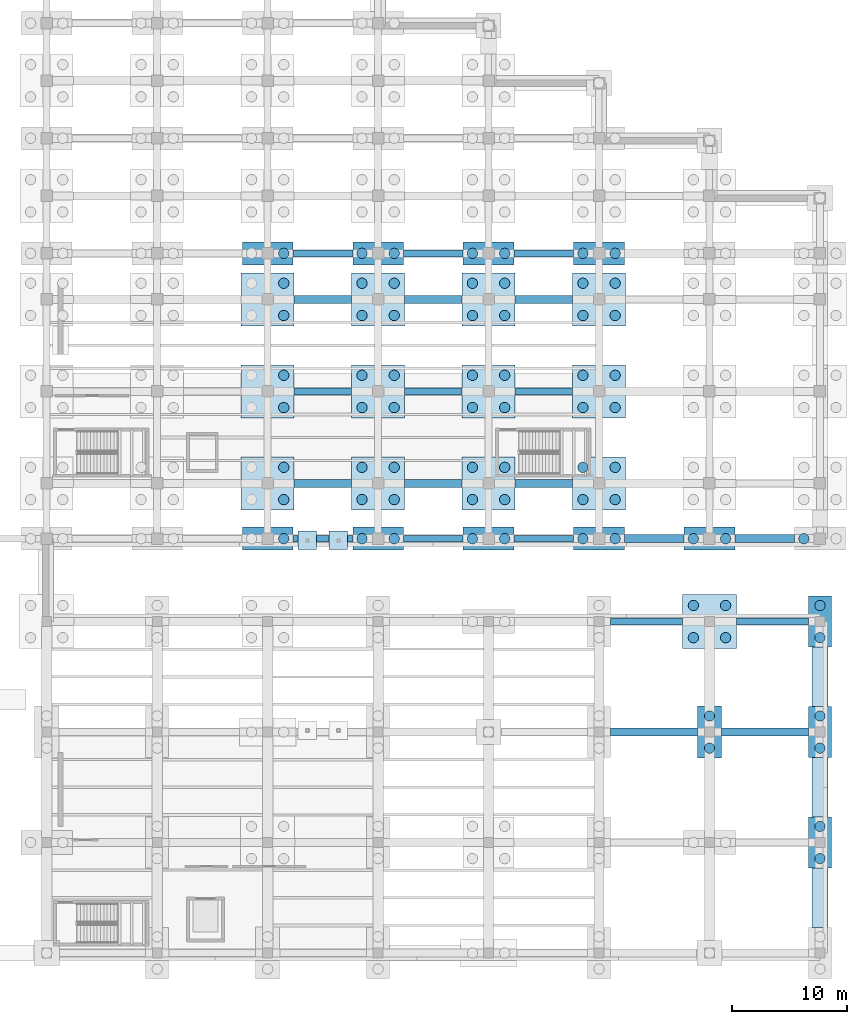
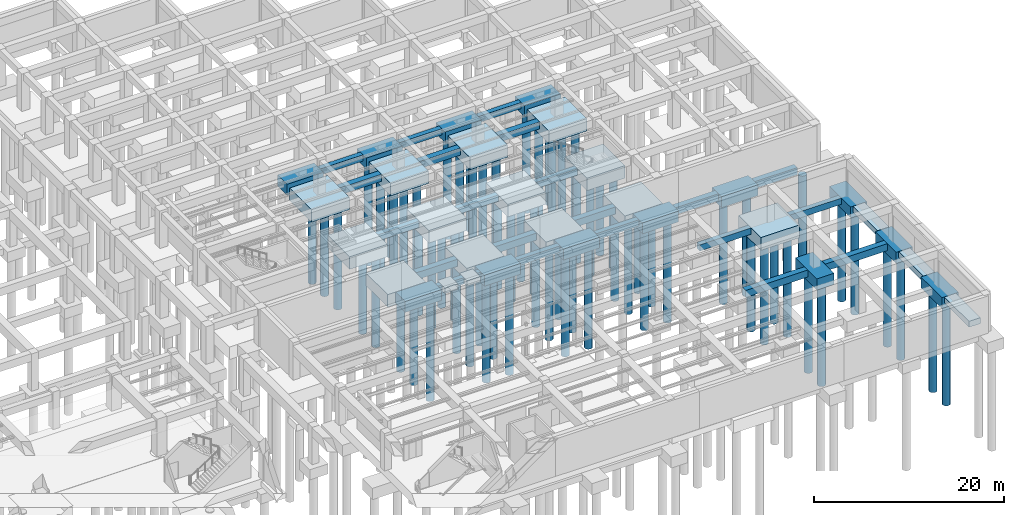
# One storey, part 9 of 56: 71 piles, 54 footings.
"""IFC4 building model written with IfcOpenShell, lengths in metres."""

from ifc_helpers import new_model, si_unit, direction, frame, origin, origin_2d, place, context, subcontext, project, spatial, rectangle, circle, extrude, material, material_profile, profile_set, type_object, element, save


model = new_model("IFC4")

# Units and contexts
model_context = context("Model", 3, precision=1e-05, world=origin(), true_north=direction((0.0, 1.0)))
body_context = subcontext(model_context, "Body", "Model", "MODEL_VIEW")
ifc_project = project(units=[si_unit("LENGTHUNIT", "METRE"), si_unit("AREAUNIT", "SQUARE_METRE"), si_unit("VOLUMEUNIT", "CUBIC_METRE"), si_unit("PLANEANGLEUNIT", "RADIAN"), si_unit("MASSUNIT", "GRAM", prefix="KILO")], contexts=[model_context])

# Site, building, storey
site_placement = place(None, origin())
site = spatial("IfcSite", under=ifc_project, at=site_placement, CompositionType="ELEMENT")
building_placement = place(site_placement, origin())
building = spatial("IfcBuilding", under=site, at=building_placement, Name="Mavantir Sound Aquarium", CompositionType="ELEMENT")
storey_placement = place(building_placement, frame((0.0, 0.0, -9.60009765625)))
storey = spatial("IfcBuildingStorey", under=building, at=storey_placement, Name="B2", CompositionType="ELEMENT", Elevation=-9.60009765625)

# Footings
ifc_material = material(Name="Concrete C40/50", Category="concrete")
ifc_material_profile_1 = material_profile(ifc_material, rectangle(XDim=0.60009765625, YDim=0.800048828125, at=origin_2d()), Name="RC 600X800")
ifc_profile_set_1 = profile_set([ifc_material_profile_1], Name="Concrete C40/50")
footing_type_1 = type_object("IfcFootingType", Name="FB-01", PredefinedType="FOOTING_BEAM", material=ifc_profile_set_1)
footing_1_placement = place(storey_placement, frame((129.407958984375, 36.0, -0.39990234375), z_axis=(1.0, 0.0, 0.0), x_axis=(0.0, 1.0, 0.0)))
element("IfcFooting", 1, at=footing_1_placement, inside=storey, type_object=footing_type_1, Name="Foundation tie beam FB-01 115.1", PredefinedType="FOOTING_BEAM", context=body_context, shape_type="SweptSolid", body=[
    extrude(rectangle(XDim=0.60009765625, YDim=0.800048828125, at=origin_2d()), origin(), (0.0, 0.0, 1.0), 0.43408203125),
])
footing_2_placement = place(storey_placement, frame((131.4580078125, 36.0, -0.39990234375), z_axis=(1.0, 0.0, 0.0), x_axis=(0.0, 1.0, 0.0)))
element("IfcFooting", 2, at=footing_2_placement, inside=storey, type_object=footing_type_1, Name="Foundation tie beam FB-01 115.2", PredefinedType="FOOTING_BEAM", context=body_context, shape_type="SweptSolid", body=[
    extrude(rectangle(XDim=0.60009765625, YDim=0.800048828125, at=origin_2d()), origin(), (0.0, 0.0, 1.0), 1.083984375),
])
footing_3_placement = place(storey_placement, frame((134.157958984375, 36.0, -0.39990234375), z_axis=(1.0, 0.0, 0.0), x_axis=(0.0, 1.0, 0.0)))
element("IfcFooting", 3, at=footing_3_placement, inside=storey, type_object=footing_type_1, Name="Foundation tie beam FB-01 115.3", PredefinedType="FOOTING_BEAM", context=body_context, shape_type="SweptSolid", body=[
    extrude(rectangle(XDim=0.60009765625, YDim=0.800048828125, at=origin_2d()), origin(), (0.0, 0.0, 1.0), 0.442138671875),
])
footing_4_placement = place(storey_placement, frame((129.508056640625, 48.800048828125, -1.599853515625), z_axis=(1.0, 0.0, 0.0), x_axis=(0.0, 1.0, 0.0)))
element("IfcFooting", 4, at=footing_4_placement, inside=storey, type_object=footing_type_1, Name="Foundation tie beam FB-01 117", PredefinedType="FOOTING_BEAM", context=body_context, shape_type="SweptSolid", body=[
    extrude(rectangle(XDim=0.60009765625, YDim=0.800048828125, at=origin_2d()), origin(), (0.0, 0.0, 1.0), 4.98388671875),
])
footing_5_placement = place(storey_placement, frame((129.407958984375, 60.800048828125, -0.39990234375), z_axis=(1.0, 0.0, 0.0), x_axis=(0.0, 1.0, 0.0)))
element("IfcFooting", 5, at=footing_5_placement, inside=storey, type_object=footing_type_1, Name="Foundation tie beam FB-01 119", PredefinedType="FOOTING_BEAM", context=body_context, shape_type="SweptSolid", body=[
    extrude(rectangle(XDim=0.60009765625, YDim=0.800048828125, at=origin_2d()), origin(), (0.0, 0.0, 1.0), 5.192138671875),
])
footing_6_placement = place(storey_placement, frame((139.008056640625, 36.0, -0.39990234375), z_axis=(1.0, 0.0, 0.0), x_axis=(0.0, 1.0, 0.0)))
element("IfcFooting", 6, at=footing_6_placement, inside=storey, type_object=footing_type_1, Name="Foundation tie beam FB-01 125", PredefinedType="FOOTING_BEAM", context=body_context, shape_type="SweptSolid", body=[
    extrude(rectangle(XDim=0.60009765625, YDim=0.800048828125, at=origin_2d()), origin(), (0.0, 0.0, 1.0), 5.19189453125),
])
footing_7_placement = place(storey_placement, frame((139.10791015625, 48.800048828125, -1.599853515625), z_axis=(1.0, 0.0, 0.0), x_axis=(0.0, 1.0, 0.0)))
element("IfcFooting", 7, at=footing_7_placement, inside=storey, type_object=footing_type_1, Name="Foundation tie beam FB-01 127", PredefinedType="FOOTING_BEAM", context=body_context, shape_type="SweptSolid", body=[
    extrude(rectangle(XDim=0.60009765625, YDim=0.800048828125, at=origin_2d()), origin(), (0.0, 0.0, 1.0), 4.984130859375),
])
footing_8_placement = place(storey_placement, frame((139.008056640625, 60.800048828125, -0.39990234375), z_axis=(1.0, 0.0, 0.0), x_axis=(0.0, 1.0, 0.0)))
element("IfcFooting", 8, at=footing_8_placement, inside=storey, type_object=footing_type_1, Name="Foundation tie beam FB-01 129", PredefinedType="FOOTING_BEAM", context=body_context, shape_type="SweptSolid", body=[
    extrude(rectangle(XDim=0.60009765625, YDim=0.800048828125, at=origin_2d()), origin(), (0.0, 0.0, 1.0), 5.19189453125),
])
footing_9_placement = place(storey_placement, frame((148.60791015625, 36.0, -0.39990234375), z_axis=(1.0, 0.0, 0.0), x_axis=(0.0, 1.0, 0.0)))
element("IfcFooting", 9, at=footing_9_placement, inside=storey, type_object=footing_type_1, Name="Foundation tie beam FB-01 137", PredefinedType="FOOTING_BEAM", context=body_context, shape_type="SweptSolid", body=[
    extrude(rectangle(XDim=0.60009765625, YDim=0.800048828125, at=origin_2d()), origin(), (0.0, 0.0, 1.0), 5.18408203125),
])
footing_10_placement = place(storey_placement, frame((148.7080078125, 48.800048828125, -1.599853515625), z_axis=(1.0, 0.0, 0.0), x_axis=(0.0, 1.0, 0.0)))
element("IfcFooting", 10, at=footing_10_placement, inside=storey, type_object=footing_type_1, Name="Foundation tie beam FB-01 139", PredefinedType="FOOTING_BEAM", context=body_context, shape_type="SweptSolid", body=[
    extrude(rectangle(XDim=0.60009765625, YDim=0.800048828125, at=origin_2d()), origin(), (0.0, 0.0, 1.0), 4.98388671875),
])
footing_11_placement = place(storey_placement, frame((148.60791015625, 60.800048828125, -0.39990234375), z_axis=(1.0, 0.0, 0.0), x_axis=(0.0, 1.0, 0.0)))
element("IfcFooting", 11, at=footing_11_placement, inside=storey, type_object=footing_type_1, Name="Foundation tie beam FB-01 141", PredefinedType="FOOTING_BEAM", context=body_context, shape_type="SweptSolid", body=[
    extrude(rectangle(XDim=0.60009765625, YDim=0.800048828125, at=origin_2d()), origin(), (0.0, 0.0, 1.0), 5.18408203125),
])
for number, where, z_axis, x_axis, name in (
    (12, (157.008056640625, 28.800048828125, -0.39990234375), (1.0, 0.0, 0.0), (0.0, 1.0, 0.0), "Foundation tie beam FB-01 147"),
    (13, (167.9580078125, 28.800048828125, -0.39990234375), (1.0, 0.0, 0.0), (0.0, 1.0, 0.0), "Foundation tie beam FB-01 155"),
):
    element("IfcFooting", number, at=place(storey_placement, frame(where, z_axis=z_axis, x_axis=x_axis)), inside=storey, type_object=footing_type_1, Name=name, PredefinedType="FOOTING_BEAM", context=body_context, shape_type="SweptSolid", body=[
        extrude(rectangle(XDim=0.60009765625, YDim=0.800048828125, at=origin_2d()), origin(), (0.0, 0.0, 1.0), 6.23388671875),
    ])
ifc_material_profile_2 = material_profile(ifc_material, rectangle(XDim=0.699951171875, YDim=0.89990234375, at=origin_2d()), Name="RC 700X900")
ifc_profile_set_2 = profile_set([ifc_material_profile_2], Name="Concrete C40/50")
footing_type_2 = type_object("IfcFootingType", Name="FB-02", PredefinedType="FOOTING_BEAM", material=ifc_profile_set_2)
for number, where, z_axis, x_axis, name in (
    (14, (129.508056640625, 40.800048828125, -1.64990234375), (1.0, 0.0, 0.0), (0.0, 1.0, 0.0), "Foundation tie beam FB-02 116"),
    (15, (129.508056640625, 56.800048828125, -0.449951171875), (1.0, 0.0, 0.0), (0.0, 1.0, 0.0), "Foundation tie beam FB-02 118"),
):
    element("IfcFooting", number, at=place(storey_placement, frame(where, z_axis=z_axis, x_axis=x_axis)), inside=storey, type_object=footing_type_2, Name=name, PredefinedType="FOOTING_BEAM", context=body_context, shape_type="SweptSolid", body=[
        extrude(rectangle(XDim=0.699951171875, YDim=0.89990234375, at=origin_2d()), origin(), (0.0, 0.0, 1.0), 4.98388671875),
    ])
for number, where, z_axis, x_axis, name in (
    (16, (139.10791015625, 40.800048828125, -1.64990234375), (1.0, 0.0, 0.0), (0.0, 1.0, 0.0), "Foundation tie beam FB-02 126"),
    (17, (139.10791015625, 56.800048828125, -0.449951171875), (1.0, 0.0, 0.0), (0.0, 1.0, 0.0), "Foundation tie beam FB-02 128"),
):
    element("IfcFooting", number, at=place(storey_placement, frame(where, z_axis=z_axis, x_axis=x_axis)), inside=storey, type_object=footing_type_2, Name=name, PredefinedType="FOOTING_BEAM", context=body_context, shape_type="SweptSolid", body=[
        extrude(rectangle(XDim=0.699951171875, YDim=0.89990234375, at=origin_2d()), origin(), (0.0, 0.0, 1.0), 4.984130859375),
    ])
for number, where, z_axis, x_axis, name in (
    (18, (148.7080078125, 40.800048828125, -1.64990234375), (1.0, 0.0, 0.0), (0.0, 1.0, 0.0), "Foundation tie beam FB-02 138"),
    (19, (148.7080078125, 56.800048828125, -0.449951171875), (1.0, 0.0, 0.0), (0.0, 1.0, 0.0), "Foundation tie beam FB-02 140"),
):
    element("IfcFooting", number, at=place(storey_placement, frame(where, z_axis=z_axis, x_axis=x_axis)), inside=storey, type_object=footing_type_2, Name=name, PredefinedType="FOOTING_BEAM", context=body_context, shape_type="SweptSolid", body=[
        extrude(rectangle(XDim=0.699951171875, YDim=0.89990234375, at=origin_2d()), origin(), (0.0, 0.0, 1.0), 4.98388671875),
    ])
footing_12_placement = place(storey_placement, frame((157.008056640625, 19.199951171875, -0.449951171875), z_axis=(1.0, 0.0, 0.0), x_axis=(0.0, 1.0, 0.0)))
element("IfcFooting", 20, at=footing_12_placement, inside=storey, type_object=footing_type_2, Name="Foundation tie beam FB-02 146", PredefinedType="FOOTING_BEAM", context=body_context, shape_type="SweptSolid", body=[
    extrude(rectangle(XDim=0.699951171875, YDim=0.89990234375, at=origin_2d()), origin(), (0.0, 0.0, 1.0), 7.533935546875),
])
footing_13_placement = place(storey_placement, frame((158.2080078125, 36.0, -0.449951171875), z_axis=(1.0, 0.0, 0.0), x_axis=(0.0, 1.0, 0.0)))
element("IfcFooting", 21, at=footing_13_placement, inside=storey, type_object=footing_type_2, Name="Foundation tie beam FB-02 148", PredefinedType="FOOTING_BEAM", context=body_context, shape_type="SweptSolid", body=[
    extrude(rectangle(XDim=0.699951171875, YDim=0.89990234375, at=origin_2d()), origin(), (0.0, 0.0, 1.0), 5.18408203125),
])
footing_14_placement = place(storey_placement, frame((166.657958984375, 19.199951171875, -0.449951171875), z_axis=(1.0, 0.0, 0.0), x_axis=(0.0, 1.0, 0.0)))
element("IfcFooting", 22, at=footing_14_placement, inside=storey, type_object=footing_type_2, Name="Foundation tie beam FB-02 154", PredefinedType="FOOTING_BEAM", context=body_context, shape_type="SweptSolid", body=[
    extrude(rectangle(XDim=0.699951171875, YDim=0.89990234375, at=origin_2d()), origin(), (0.0, 0.0, 1.0), 7.533935546875),
])
footing_15_placement = place(storey_placement, frame((167.800048828125, 36.0, -0.449951171875), z_axis=(1.0, 0.0, 0.0), x_axis=(0.0, 1.0, 0.0)))
element("IfcFooting", 23, at=footing_15_placement, inside=storey, type_object=footing_type_2, Name="Foundation tie beam FB-02 156", PredefinedType="FOOTING_BEAM", context=body_context, shape_type="SweptSolid", body=[
    extrude(rectangle(XDim=0.699951171875, YDim=0.89990234375, at=origin_2d()), origin(), (0.0, 0.0, 1.0), 5.19189453125),
])
footing_type_3 = type_object("IfcFootingType", Name="PC-01", PredefinedType="PILE_CAP", material=ifc_material)
for number, where, z_axis, x_axis, name in (
    (24, (127.199951171875, 40.800048828125, -2.800048828125), (0.0, 0.0, 1.0), (1.0, 0.0, 0.0), "Pile cap PC-01 83"),
    (25, (127.199951171875, 48.800048828125, -2.800048828125), (0.0, 0.0, 1.0), (1.0, 0.0, 0.0), "Pile cap PC-01 84"),
    (26, (127.199951171875, 56.800048828125, -1.599853515625), (0.0, 0.0, 1.0), (1.0, 0.0, 0.0), "Pile cap PC-01 85"),
    (27, (136.800048828125, 40.800048828125, -2.800048828125), (0.0, 0.0, 1.0), (1.0, 0.0, 0.0), "Pile cap PC-01 94"),
    (28, (136.800048828125, 48.800048828125, -2.800048828125), (0.0, 0.0, 1.0), (1.0, 0.0, 0.0), "Pile cap PC-01 95"),
    (29, (136.800048828125, 56.800048828125, -1.599853515625), (0.0, 0.0, 1.0), (1.0, 0.0, 0.0), "Pile cap PC-01 96"),
    (30, (146.39990234375, 40.800048828125, -2.800048828125), (0.0, 0.0, 1.0), (1.0, 0.0, 0.0), "Pile cap PC-01 104"),
    (31, (146.39990234375, 48.800048828125, -2.800048828125), (0.0, 0.0, 1.0), (1.0, 0.0, 0.0), "Pile cap PC-01 105"),
    (32, (146.39990234375, 56.800048828125, -1.599853515625), (0.0, 0.0, 1.0), (1.0, 0.0, 0.0), "Pile cap PC-01 106"),
    (33, (156.0, 40.800048828125, -2.800048828125), (0.0, 0.0, 1.0), (1.0, 0.0, 0.0), "Pile cap PC-01 113"),
    (34, (156.0, 48.800048828125, -2.800048828125), (0.0, 0.0, 1.0), (1.0, 0.0, 0.0), "Pile cap PC-01 114"),
    (35, (156.0, 56.800048828125, -1.599853515625), (0.0, 0.0, 1.0), (1.0, 0.0, 0.0), "Pile cap PC-01 115"),
):
    element("IfcFooting", number, at=place(storey_placement, frame(where, z_axis=z_axis, x_axis=x_axis)), inside=storey, type_object=footing_type_3, Name=name, PredefinedType="PILE_CAP", context=body_context, shape_type="SweptSolid", body=[
        extrude(rectangle(XDim=4.60009765625, YDim=4.60009765625, at=origin_2d()), origin(), (0.0, 0.0, 1.0), 1.60009765625),
    ])
footing_type_4 = type_object("IfcFootingType", Name="PC-03", PredefinedType="PILE_CAP", material=ifc_material)
for number, where, z_axis, x_axis, name in (
    (36, (127.199951171875, 36.0, -1.39990234375), (0.0, 0.0, 1.0), (1.0, 0.0, 0.0), "Pile cap PC-03 82"),
    (37, (127.199951171875, 60.800048828125, -1.39990234375), (0.0, 0.0, 1.0), (1.0, 0.0, 0.0), "Pile cap PC-03 86"),
    (38, (136.800048828125, 36.0, -1.39990234375), (0.0, 0.0, 1.0), (1.0, 0.0, 0.0), "Pile cap PC-03 93"),
    (39, (136.800048828125, 60.800048828125, -1.39990234375), (0.0, 0.0, 1.0), (1.0, 0.0, 0.0), "Pile cap PC-03 97"),
    (40, (146.39990234375, 36.0, -1.39990234375), (0.0, 0.0, 1.0), (1.0, 0.0, 0.0), "Pile cap PC-03 103"),
    (41, (146.39990234375, 60.800048828125, -1.39990234375), (0.0, 0.0, 1.0), (1.0, 0.0, 0.0), "Pile cap PC-03 107"),
    (42, (156.0, 36.0, -1.39990234375), (0.0, 0.0, 1.0), (1.0, 0.0, 0.0), "Pile cap PC-03 112"),
    (43, (156.0, 60.800048828125, -1.39990234375), (0.0, 0.0, 1.0), (1.0, 0.0, 0.0), "Pile cap PC-03 116"),
    (44, (165.60009765625, 36.0, -1.39990234375), (0.0, 0.0, 1.0), (1.0, 0.0, 0.0), "Pile cap PC-03 120"),
):
    element("IfcFooting", number, at=place(storey_placement, frame(where, z_axis=z_axis, x_axis=x_axis)), inside=storey, type_object=footing_type_4, Name=name, PredefinedType="PILE_CAP", context=body_context, shape_type="SweptSolid", body=[
        extrude(rectangle(XDim=4.39990234375, YDim=2.0, at=origin_2d()), origin(), (0.0, 0.0, 1.0), 1.39990234375),
    ])
footing_type_5 = type_object("IfcFootingType", Name="PC-04", PredefinedType="PILE_CAP", material=ifc_material)
for number, where, z_axis, x_axis, name in (
    (45, (175.199951171875, 9.60009765625, -1.39990234375), (0.0, 0.0, 1.0), (1.0, 0.0, 0.0), "Pile cap PC-04 187"),
    (46, (175.199951171875, 19.199951171875, -1.39990234375), (0.0, 0.0, 1.0), (1.0, 0.0, 0.0), "Pile cap PC-04 188"),
    (47, (175.199951171875, 28.800048828125, -1.39990234375), (0.0, 0.0, 1.0), (1.0, 0.0, 0.0), "Pile cap PC-04 189"),
):
    element("IfcFooting", number, at=place(storey_placement, frame(where, z_axis=z_axis, x_axis=x_axis)), inside=storey, type_object=footing_type_5, Name=name, PredefinedType="PILE_CAP", context=body_context, shape_type="SweptSolid", body=[
        extrude(rectangle(XDim=2.0, YDim=4.39990234375, at=origin_2d()), origin(), (0.0, 0.0, 1.0), 1.39990234375),
    ])
footing_type_6 = type_object("IfcFootingType", Name="PC-10", PredefinedType="PILE_CAP", material=ifc_material)
footing_16_placement = place(storey_placement, frame((165.60009765625, 19.199951171875, -1.44970703125), z_axis=(0.0, 0.0, 1.0), x_axis=(1.0, 0.0, 0.0)))
element("IfcFooting", 48, at=footing_16_placement, inside=storey, type_object=footing_type_6, Name="Pile cap PC-10 184", PredefinedType="PILE_CAP", context=body_context, shape_type="SweptSolid", body=[
    extrude(rectangle(XDim=2.10009765625, YDim=4.5, at=origin_2d()), origin(), (0.0, 0.0, 1.0), 1.449951171875),
])
footing_type_7 = type_object("IfcFootingType", Name="PC-11", PredefinedType="PILE_CAP", material=ifc_material)
footing_17_placement = place(storey_placement, frame((165.60009765625, 28.800048828125, -1.64990234375), z_axis=(0.0, 0.0, 1.0), x_axis=(1.0, 0.0, 0.0)))
element("IfcFooting", 49, at=footing_17_placement, inside=storey, type_object=footing_type_7, Name="Pile cap PC-11 185", PredefinedType="PILE_CAP", context=body_context, shape_type="SweptSolid", body=[
    extrude(rectangle(XDim=4.699951171875, YDim=4.699951171875, at=origin_2d()), origin(), (0.0, 0.0, 1.0), 1.64990234375),
])
footing_type_8 = type_object("IfcFootingType", Name="PF-04", PredefinedType="PAD_FOOTING", material=ifc_material)
for number, where, z_axis, x_axis, name in (
    (50, (130.64990234375, 35.85009765625, -0.69970703125), (0.0, 0.0, 1.0), (1.0, 0.0, 0.0), "Bridge pier footing 4.2"),
    (51, (133.35009765625, 35.85009765625, -0.69970703125), (0.0, 0.0, 1.0), (1.0, 0.0, 0.0), "Bridge pier footing 4.4"),
):
    element("IfcFooting", number, at=place(storey_placement, frame(where, z_axis=z_axis, x_axis=x_axis)), inside=storey, type_object=footing_type_8, Name=name, PredefinedType="PAD_FOOTING", context=body_context, shape_type="SweptSolid", body=[
        extrude(rectangle(XDim=1.60009765625, YDim=1.60009765625, at=origin_2d()), origin(), (0.0, 0.0, 1.0), 0.699951171875),
    ])

# Piles
ifc_material_profile_3 = material_profile(ifc_material, circle(Radius=0.449951171875, at=origin_2d()), Name="PILE D900")
ifc_profile_set_3 = profile_set([ifc_material_profile_3], Name="Concrete C40/50")
pile_type = type_object("IfcPileType", Name="PILE-D900", PredefinedType="BORED", material=ifc_profile_set_3)
pile_placement = place(storey_placement, frame((128.60009765625, 36.0, -1.2998046875), z_axis=(0.0, 0.0, -1.0), x_axis=(1.0, 0.0, 0.0)))
element("IfcPile", 52, at=pile_placement, inside=storey, type_object=pile_type, Name="Bored pile P-900 296", PredefinedType="BORED", context=body_context, shape_type="SweptSolid", body=[
    extrude(circle(Radius=0.449951171875, at=origin_2d()), origin(), (0.0, 0.0, 1.0), 13.10009765625),
])
for number, where, z_axis, x_axis, name in (
    (53, (128.60009765625, 39.39990234375, -2.699951171875), (0.0, 0.0, -1.0), (1.0, 0.0, 0.0), "Bored pile P-900 298"),
    (54, (128.60009765625, 42.199951171875, -2.699951171875), (0.0, 0.0, -1.0), (1.0, 0.0, 0.0), "Bored pile P-900 300"),
    (55, (128.60009765625, 47.39990234375, -2.699951171875), (0.0, 0.0, -1.0), (1.0, 0.0, 0.0), "Bored pile P-900 302"),
    (56, (128.60009765625, 50.199951171875, -2.699951171875), (0.0, 0.0, -1.0), (1.0, 0.0, 0.0), "Bored pile P-900 304"),
):
    element("IfcPile", number, at=place(storey_placement, frame(where, z_axis=z_axis, x_axis=x_axis)), inside=storey, type_object=pile_type, Name=name, PredefinedType="BORED", context=body_context, shape_type="SweptSolid", body=[
        extrude(circle(Radius=0.449951171875, at=origin_2d()), origin(), (0.0, 0.0, 1.0), 11.699951171875),
    ])
for number, where, z_axis, x_axis, name in (
    (57, (128.60009765625, 55.39990234375, -1.5), (0.0, 0.0, -1.0), (1.0, 0.0, 0.0), "Bored pile P-900 306"),
    (58, (128.60009765625, 58.199951171875, -1.5), (0.0, 0.0, -1.0), (1.0, 0.0, 0.0), "Bored pile P-900 308"),
):
    element("IfcPile", number, at=place(storey_placement, frame(where, z_axis=z_axis, x_axis=x_axis)), inside=storey, type_object=pile_type, Name=name, PredefinedType="BORED", context=body_context, shape_type="SweptSolid", body=[
        extrude(circle(Radius=0.449951171875, at=origin_2d()), origin(), (0.0, 0.0, 1.0), 12.89990234375),
    ])
for number, where, z_axis, x_axis, name in (
    (59, (128.60009765625, 60.800048828125, -1.2998046875), (0.0, 0.0, -1.0), (1.0, 0.0, 0.0), "Bored pile P-900 310"),
    (60, (135.39990234375, 36.0, -1.2998046875), (0.0, 0.0, -1.0), (1.0, 0.0, 0.0), "Bored pile P-900 328"),
    (61, (138.199951171875, 36.0, -1.2998046875), (0.0, 0.0, -1.0), (1.0, 0.0, 0.0), "Bored pile P-900 329"),
):
    element("IfcPile", number, at=place(storey_placement, frame(where, z_axis=z_axis, x_axis=x_axis)), inside=storey, type_object=pile_type, Name=name, PredefinedType="BORED", context=body_context, shape_type="SweptSolid", body=[
        extrude(circle(Radius=0.449951171875, at=origin_2d()), origin(), (0.0, 0.0, 1.0), 13.10009765625),
    ])
for number, where, z_axis, x_axis, name in (
    (62, (135.39990234375, 39.39990234375, -2.699951171875), (0.0, 0.0, -1.0), (1.0, 0.0, 0.0), "Bored pile P-900 330"),
    (63, (138.199951171875, 39.39990234375, -2.699951171875), (0.0, 0.0, -1.0), (1.0, 0.0, 0.0), "Bored pile P-900 331"),
    (64, (135.39990234375, 42.199951171875, -2.699951171875), (0.0, 0.0, -1.0), (1.0, 0.0, 0.0), "Bored pile P-900 332"),
    (65, (138.199951171875, 42.199951171875, -2.699951171875), (0.0, 0.0, -1.0), (1.0, 0.0, 0.0), "Bored pile P-900 333"),
    (66, (135.39990234375, 47.39990234375, -2.699951171875), (0.0, 0.0, -1.0), (1.0, 0.0, 0.0), "Bored pile P-900 334"),
    (67, (138.199951171875, 47.39990234375, -2.699951171875), (0.0, 0.0, -1.0), (1.0, 0.0, 0.0), "Bored pile P-900 335"),
    (68, (135.39990234375, 50.199951171875, -2.699951171875), (0.0, 0.0, -1.0), (1.0, 0.0, 0.0), "Bored pile P-900 336"),
    (69, (138.199951171875, 50.199951171875, -2.699951171875), (0.0, 0.0, -1.0), (1.0, 0.0, 0.0), "Bored pile P-900 337"),
):
    element("IfcPile", number, at=place(storey_placement, frame(where, z_axis=z_axis, x_axis=x_axis)), inside=storey, type_object=pile_type, Name=name, PredefinedType="BORED", context=body_context, shape_type="SweptSolid", body=[
        extrude(circle(Radius=0.449951171875, at=origin_2d()), origin(), (0.0, 0.0, 1.0), 11.699951171875),
    ])
for number, where, z_axis, x_axis, name in (
    (70, (135.39990234375, 55.39990234375, -1.5), (0.0, 0.0, -1.0), (1.0, 0.0, 0.0), "Bored pile P-900 338"),
    (71, (138.199951171875, 55.39990234375, -1.5), (0.0, 0.0, -1.0), (1.0, 0.0, 0.0), "Bored pile P-900 339"),
    (72, (135.39990234375, 58.199951171875, -1.5), (0.0, 0.0, -1.0), (1.0, 0.0, 0.0), "Bored pile P-900 340"),
    (73, (138.199951171875, 58.199951171875, -1.5), (0.0, 0.0, -1.0), (1.0, 0.0, 0.0), "Bored pile P-900 341"),
):
    element("IfcPile", number, at=place(storey_placement, frame(where, z_axis=z_axis, x_axis=x_axis)), inside=storey, type_object=pile_type, Name=name, PredefinedType="BORED", context=body_context, shape_type="SweptSolid", body=[
        extrude(circle(Radius=0.449951171875, at=origin_2d()), origin(), (0.0, 0.0, 1.0), 12.89990234375),
    ])
for number, where, z_axis, x_axis, name in (
    (74, (135.39990234375, 60.800048828125, -1.2998046875), (0.0, 0.0, -1.0), (1.0, 0.0, 0.0), "Bored pile P-900 342"),
    (75, (138.199951171875, 60.800048828125, -1.2998046875), (0.0, 0.0, -1.0), (1.0, 0.0, 0.0), "Bored pile P-900 343"),
    (76, (145.0, 36.0, -1.2998046875), (0.0, 0.0, -1.0), (1.0, 0.0, 0.0), "Bored pile P-900 357"),
    (77, (147.800048828125, 36.0, -1.2998046875), (0.0, 0.0, -1.0), (1.0, 0.0, 0.0), "Bored pile P-900 358"),
):
    element("IfcPile", number, at=place(storey_placement, frame(where, z_axis=z_axis, x_axis=x_axis)), inside=storey, type_object=pile_type, Name=name, PredefinedType="BORED", context=body_context, shape_type="SweptSolid", body=[
        extrude(circle(Radius=0.449951171875, at=origin_2d()), origin(), (0.0, 0.0, 1.0), 13.10009765625),
    ])
for number, where, z_axis, x_axis, name in (
    (78, (145.0, 39.39990234375, -2.699951171875), (0.0, 0.0, -1.0), (1.0, 0.0, 0.0), "Bored pile P-900 359"),
    (79, (147.800048828125, 39.39990234375, -2.699951171875), (0.0, 0.0, -1.0), (1.0, 0.0, 0.0), "Bored pile P-900 360"),
    (80, (145.0, 42.199951171875, -2.699951171875), (0.0, 0.0, -1.0), (1.0, 0.0, 0.0), "Bored pile P-900 361"),
    (81, (147.800048828125, 42.199951171875, -2.699951171875), (0.0, 0.0, -1.0), (1.0, 0.0, 0.0), "Bored pile P-900 362"),
    (82, (145.0, 47.39990234375, -2.699951171875), (0.0, 0.0, -1.0), (1.0, 0.0, 0.0), "Bored pile P-900 363"),
    (83, (147.800048828125, 47.39990234375, -2.699951171875), (0.0, 0.0, -1.0), (1.0, 0.0, 0.0), "Bored pile P-900 364"),
    (84, (145.0, 50.199951171875, -2.699951171875), (0.0, 0.0, -1.0), (1.0, 0.0, 0.0), "Bored pile P-900 365"),
    (85, (147.800048828125, 50.199951171875, -2.699951171875), (0.0, 0.0, -1.0), (1.0, 0.0, 0.0), "Bored pile P-900 366"),
):
    element("IfcPile", number, at=place(storey_placement, frame(where, z_axis=z_axis, x_axis=x_axis)), inside=storey, type_object=pile_type, Name=name, PredefinedType="BORED", context=body_context, shape_type="SweptSolid", body=[
        extrude(circle(Radius=0.449951171875, at=origin_2d()), origin(), (0.0, 0.0, 1.0), 11.699951171875),
    ])
for number, where, z_axis, x_axis, name in (
    (86, (145.0, 55.39990234375, -1.5), (0.0, 0.0, -1.0), (1.0, 0.0, 0.0), "Bored pile P-900 367"),
    (87, (147.800048828125, 55.39990234375, -1.5), (0.0, 0.0, -1.0), (1.0, 0.0, 0.0), "Bored pile P-900 368"),
    (88, (145.0, 58.199951171875, -1.5), (0.0, 0.0, -1.0), (1.0, 0.0, 0.0), "Bored pile P-900 369"),
    (89, (147.800048828125, 58.199951171875, -1.5), (0.0, 0.0, -1.0), (1.0, 0.0, 0.0), "Bored pile P-900 370"),
):
    element("IfcPile", number, at=place(storey_placement, frame(where, z_axis=z_axis, x_axis=x_axis)), inside=storey, type_object=pile_type, Name=name, PredefinedType="BORED", context=body_context, shape_type="SweptSolid", body=[
        extrude(circle(Radius=0.449951171875, at=origin_2d()), origin(), (0.0, 0.0, 1.0), 12.89990234375),
    ])
for number, where, z_axis, x_axis, name in (
    (90, (145.0, 60.800048828125, -1.2998046875), (0.0, 0.0, -1.0), (1.0, 0.0, 0.0), "Bored pile P-900 371"),
    (91, (147.800048828125, 60.800048828125, -1.2998046875), (0.0, 0.0, -1.0), (1.0, 0.0, 0.0), "Bored pile P-900 372"),
    (92, (154.60009765625, 36.0, -1.2998046875), (0.0, 0.0, -1.0), (1.0, 0.0, 0.0), "Bored pile P-900 384"),
    (93, (157.39990234375, 36.0, -1.2998046875), (0.0, 0.0, -1.0), (1.0, 0.0, 0.0), "Bored pile P-900 385"),
):
    element("IfcPile", number, at=place(storey_placement, frame(where, z_axis=z_axis, x_axis=x_axis)), inside=storey, type_object=pile_type, Name=name, PredefinedType="BORED", context=body_context, shape_type="SweptSolid", body=[
        extrude(circle(Radius=0.449951171875, at=origin_2d()), origin(), (0.0, 0.0, 1.0), 13.10009765625),
    ])
for number, where, z_axis, x_axis, name in (
    (94, (154.60009765625, 39.39990234375, -2.699951171875), (0.0, 0.0, -1.0), (1.0, 0.0, 0.0), "Bored pile P-900 386"),
    (95, (157.39990234375, 39.39990234375, -2.699951171875), (0.0, 0.0, -1.0), (1.0, 0.0, 0.0), "Bored pile P-900 387"),
    (96, (154.60009765625, 42.199951171875, -2.699951171875), (0.0, 0.0, -1.0), (1.0, 0.0, 0.0), "Bored pile P-900 388"),
    (97, (157.39990234375, 42.199951171875, -2.699951171875), (0.0, 0.0, -1.0), (1.0, 0.0, 0.0), "Bored pile P-900 389"),
    (98, (154.60009765625, 47.39990234375, -2.699951171875), (0.0, 0.0, -1.0), (1.0, 0.0, 0.0), "Bored pile P-900 390"),
    (99, (157.39990234375, 47.39990234375, -2.699951171875), (0.0, 0.0, -1.0), (1.0, 0.0, 0.0), "Bored pile P-900 391"),
    (100, (154.60009765625, 50.199951171875, -2.699951171875), (0.0, 0.0, -1.0), (1.0, 0.0, 0.0), "Bored pile P-900 392"),
    (101, (157.39990234375, 50.199951171875, -2.699951171875), (0.0, 0.0, -1.0), (1.0, 0.0, 0.0), "Bored pile P-900 393"),
):
    element("IfcPile", number, at=place(storey_placement, frame(where, z_axis=z_axis, x_axis=x_axis)), inside=storey, type_object=pile_type, Name=name, PredefinedType="BORED", context=body_context, shape_type="SweptSolid", body=[
        extrude(circle(Radius=0.449951171875, at=origin_2d()), origin(), (0.0, 0.0, 1.0), 11.699951171875),
    ])
for number, where, z_axis, x_axis, name in (
    (102, (154.60009765625, 55.39990234375, -1.5), (0.0, 0.0, -1.0), (1.0, 0.0, 0.0), "Bored pile P-900 394"),
    (103, (157.39990234375, 55.39990234375, -1.5), (0.0, 0.0, -1.0), (1.0, 0.0, 0.0), "Bored pile P-900 395"),
    (104, (154.60009765625, 58.199951171875, -1.5), (0.0, 0.0, -1.0), (1.0, 0.0, 0.0), "Bored pile P-900 396"),
    (105, (157.39990234375, 58.199951171875, -1.5), (0.0, 0.0, -1.0), (1.0, 0.0, 0.0), "Bored pile P-900 397"),
):
    element("IfcPile", number, at=place(storey_placement, frame(where, z_axis=z_axis, x_axis=x_axis)), inside=storey, type_object=pile_type, Name=name, PredefinedType="BORED", context=body_context, shape_type="SweptSolid", body=[
        extrude(circle(Radius=0.449951171875, at=origin_2d()), origin(), (0.0, 0.0, 1.0), 12.89990234375),
    ])
for number, where, z_axis, x_axis, name in (
    (106, (154.60009765625, 60.800048828125, -1.2998046875), (0.0, 0.0, -1.0), (1.0, 0.0, 0.0), "Bored pile P-900 398"),
    (107, (157.39990234375, 60.800048828125, -1.2998046875), (0.0, 0.0, -1.0), (1.0, 0.0, 0.0), "Bored pile P-900 399"),
    (108, (164.199951171875, 36.0, -1.2998046875), (0.0, 0.0, -1.0), (1.0, 0.0, 0.0), "Bored pile P-900 407"),
    (109, (167.0, 36.0, -1.2998046875), (0.0, 0.0, -1.0), (1.0, 0.0, 0.0), "Bored pile P-900 408"),
    (110, (173.800048828125, 36.0, -1.2998046875), (0.0, 0.0, -1.0), (1.0, 0.0, 0.0), "Bored pile P-900 428"),
):
    element("IfcPile", number, at=place(storey_placement, frame(where, z_axis=z_axis, x_axis=x_axis)), inside=storey, type_object=pile_type, Name=name, PredefinedType="BORED", context=body_context, shape_type="SweptSolid", body=[
        extrude(circle(Radius=0.449951171875, at=origin_2d()), origin(), (0.0, 0.0, 1.0), 13.10009765625),
    ])
for number, where, z_axis, x_axis, name in (
    (111, (165.60009765625, 17.800048828125, -1.349853515625), (0.0, 0.0, -1.0), (1.0, 0.0, 0.0), "Bored pile P-900 582"),
    (112, (165.60009765625, 20.60009765625, -1.349853515625), (0.0, 0.0, -1.0), (1.0, 0.0, 0.0), "Bored pile P-900 583"),
):
    element("IfcPile", number, at=place(storey_placement, frame(where, z_axis=z_axis, x_axis=x_axis)), inside=storey, type_object=pile_type, Name=name, PredefinedType="BORED", context=body_context, shape_type="SweptSolid", body=[
        extrude(circle(Radius=0.449951171875, at=origin_2d()), origin(), (0.0, 0.0, 1.0), 13.050048828125),
    ])
for number, where, z_axis, x_axis, name in (
    (113, (164.199951171875, 27.39990234375, -1.5498046875), (0.0, 0.0, -1.0), (1.0, 0.0, 0.0), "Bored pile P-900 584"),
    (114, (167.0, 27.39990234375, -1.5498046875), (0.0, 0.0, -1.0), (1.0, 0.0, 0.0), "Bored pile P-900 585"),
    (115, (164.199951171875, 30.199951171875, -1.5498046875), (0.0, 0.0, -1.0), (1.0, 0.0, 0.0), "Bored pile P-900 586"),
    (116, (167.0, 30.199951171875, -1.5498046875), (0.0, 0.0, -1.0), (1.0, 0.0, 0.0), "Bored pile P-900 587"),
):
    element("IfcPile", number, at=place(storey_placement, frame(where, z_axis=z_axis, x_axis=x_axis)), inside=storey, type_object=pile_type, Name=name, PredefinedType="BORED", context=body_context, shape_type="SweptSolid", body=[
        extrude(circle(Radius=0.449951171875, at=origin_2d()), origin(), (0.0, 0.0, 1.0), 12.85009765625),
    ])
for number, where, z_axis, x_axis, name in (
    (117, (175.199951171875, 8.199951171875, -1.2998046875), (0.0, 0.0, -1.0), (1.0, 0.0, 0.0), "Bored pile P-900 590"),
    (118, (175.199951171875, 11.0, -1.2998046875), (0.0, 0.0, -1.0), (1.0, 0.0, 0.0), "Bored pile P-900 591"),
    (119, (175.199951171875, 17.800048828125, -1.2998046875), (0.0, 0.0, -1.0), (1.0, 0.0, 0.0), "Bored pile P-900 592"),
    (120, (175.199951171875, 20.60009765625, -1.2998046875), (0.0, 0.0, -1.0), (1.0, 0.0, 0.0), "Bored pile P-900 593"),
    (121, (175.199951171875, 27.39990234375, -1.2998046875), (0.0, 0.0, -1.0), (1.0, 0.0, 0.0), "Bored pile P-900 594"),
    (122, (175.199951171875, 30.199951171875, -1.2998046875), (0.0, 0.0, -1.0), (1.0, 0.0, 0.0), "Bored pile P-900 595"),
):
    element("IfcPile", number, at=place(storey_placement, frame(where, z_axis=z_axis, x_axis=x_axis)), inside=storey, type_object=pile_type, Name=name, PredefinedType="BORED", context=body_context, shape_type="SweptSolid", body=[
        extrude(circle(Radius=0.449951171875, at=origin_2d()), origin(), (0.0, 0.0, 1.0), 13.10009765625),
    ])

# Footings
ifc_material_profile_4 = material_profile(ifc_material, rectangle(XDim=1.39990234375, YDim=0.75, at=origin_2d()), Name="RC 1400X750")
ifc_profile_set_4 = profile_set([ifc_material_profile_4], Name="Concrete C40/50")
footing_type_9 = type_object("IfcFootingType", Name="SF-02", PredefinedType="STRIP_FOOTING", material=ifc_profile_set_4)
footing_18_placement = place(storey_placement, frame((175.199951171875, 26.592041015625, -0.375), z_axis=(0.0, -1.0, 0.0), x_axis=(1.0, 0.0, 0.0)))
element("IfcFooting", 123, at=footing_18_placement, inside=storey, type_object=footing_type_9, Name="Perimeter retaining wall strip footing 37", PredefinedType="STRIP_FOOTING", context=body_context, shape_type="SweptSolid", body=[
    extrude(rectangle(XDim=1.39990234375, YDim=0.75, at=origin_2d()), origin(), (0.0, 0.0, 1.0), 5.18408203125),
])
footing_19_placement = place(storey_placement, frame((175.199951171875, 16.991943359375, -0.375), z_axis=(0.0, -1.0, 0.0), x_axis=(1.0, 0.0, 0.0)))
element("IfcFooting", 124, at=footing_19_placement, inside=storey, type_object=footing_type_9, Name="Perimeter retaining wall strip footing 38", PredefinedType="STRIP_FOOTING", context=body_context, shape_type="SweptSolid", body=[
    extrude(rectangle(XDim=1.39990234375, YDim=0.75, at=origin_2d()), origin(), (0.0, 0.0, 1.0), 5.183837890625),
])
footing_20_placement = place(storey_placement, frame((175.199951171875, 7.39208984375, -0.375), z_axis=(0.0, -1.0, 0.0), x_axis=(1.0, 0.0, 0.0)))
element("IfcFooting", 125, at=footing_20_placement, inside=storey, type_object=footing_type_9, Name="Perimeter retaining wall strip footing 39", PredefinedType="STRIP_FOOTING", context=body_context, shape_type="SweptSolid", body=[
    extrude(rectangle(XDim=1.39990234375, YDim=0.75, at=origin_2d()), origin(), (0.0, 0.0, 1.0), 5.18408203125),
])

save(model, "model.ifc")
